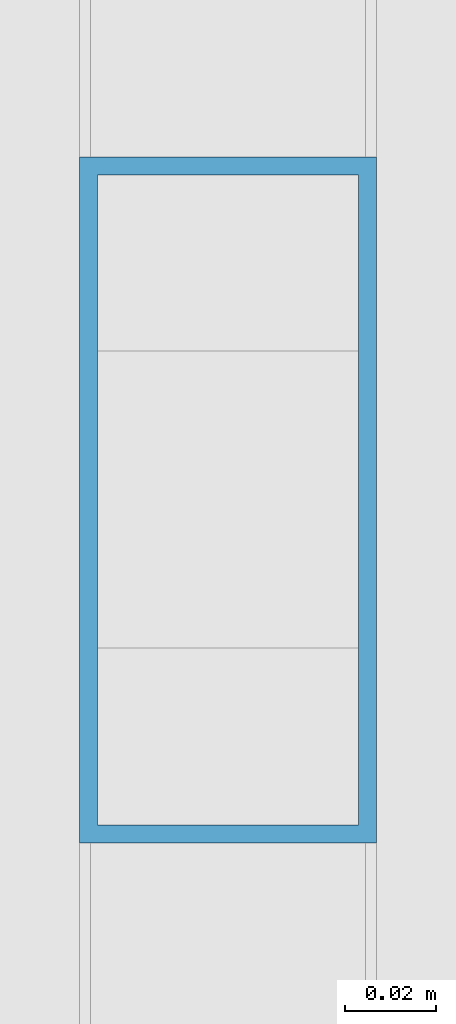
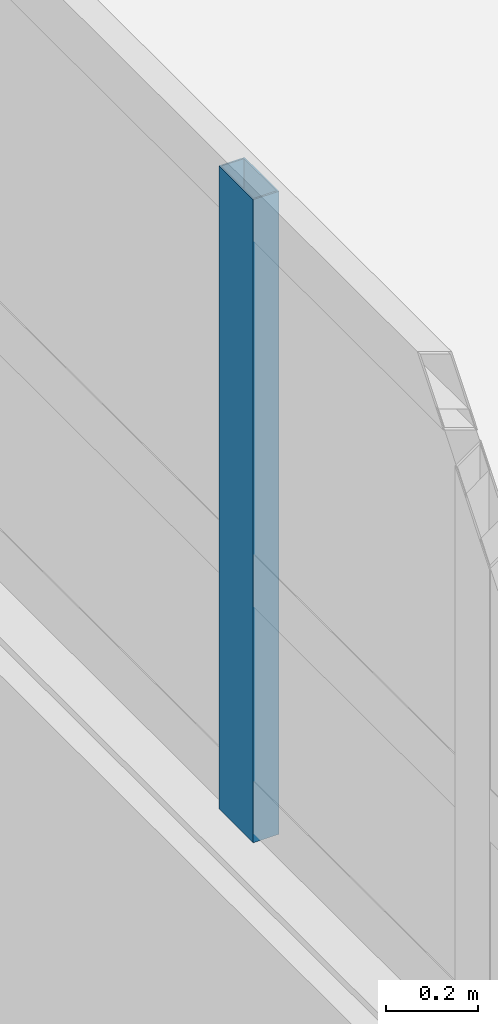
# One storey, part 29 of 101: 1 member, 1 element without a shape of its own.
"""IFC4 building model written with IfcOpenShell, lengths in metres."""

from ifc_helpers import new_model, si_unit, direction, frame, origin, origin_2d, place, context, subcontext, project, spatial, hollow_rectangle, extrude, material, layer, layer_set, material_profile, profile_set, type_object, element, aggregate, save


model = new_model("IFC4")

# Units and contexts
model_context = context("Model", 3, precision=1e-05, world=origin(), true_north=direction((0.0, 1.0)))
body_context = subcontext(model_context, "Body", "Model", "MODEL_VIEW")
ifc_project = project(units=[si_unit("LENGTHUNIT", "METRE"), si_unit("AREAUNIT", "SQUARE_METRE"), si_unit("VOLUMEUNIT", "CUBIC_METRE"), si_unit("PLANEANGLEUNIT", "RADIAN"), si_unit("MASSUNIT", "GRAM", prefix="KILO")], contexts=[model_context])

# Site, building, storey
site_placement = place(None, origin())
site = spatial("IfcSite", under=ifc_project, at=site_placement, CompositionType="ELEMENT")
building_placement = place(site_placement, origin())
building = spatial("IfcBuilding", under=site, at=building_placement, Name="Vireocrest Preparatory School", CompositionType="ELEMENT")
storey_placement = place(building_placement, frame((0.0, 0.0, 4.800048828125)))
storey = spatial("IfcBuildingStorey", under=building, at=storey_placement, Name="L01", CompositionType="ELEMENT", Elevation=4.800048828125)

# Curtain wall, member
ifc_material = material(Name="Thermally broken aluminium EN AW-6063-T6", Category="aluminium")
ifc_layer = layer(ifc_material, 0.179931640625)
ifc_layer_set = layer_set([ifc_layer], Name="Thermally broken aluminium EN AW-6063-T6")
curtain_wall_type = type_object("IfcCurtainWallType", Name="Court Banded Curtain Wall 8400x3000", PredefinedType="USERDEFINED", material=ifc_layer_set)
curtain_wall_placement = place(storey_placement, origin())
curtain_wall = element("IfcCurtainWall", 1, at=curtain_wall_placement, inside=storey, type_object=curtain_wall_type, Name="Curtain Wall CW02 CW_L01_CW02_0924_0441_060", ObjectType="CURTAIN WALL", PredefinedType="USERDEFINED")
ifc_material_profile = material_profile(ifc_material, hollow_rectangle(XDim=0.06494140625, YDim=0.14990234375, WallThickness=0.00390625, at=origin_2d()), Name="ALU 65x150x4")
ifc_profile_set = profile_set([ifc_material_profile], Name="Thermally broken aluminium EN AW-6063-T6")
member_type = type_object("IfcMemberType", Name="CW Mullion 65x150x4", PredefinedType="MULLION", material=ifc_profile_set)
member_placement = place(storey_placement, frame((92.39990234375, 47.23193359375, 1.14990234375), z_axis=(0.0, 0.0, 1.0), x_axis=(1.0, 0.0, 0.0)))
member = element("IfcMember", 2, at=member_placement, type_object=member_type, Name="CW Mullion ML1 CW_L01_CW02_0924_0441_060-3", PredefinedType="MULLION", context=body_context, shape_type="SweptSolid", body=[
    extrude(hollow_rectangle(XDim=0.06494140625, YDim=0.14990234375, WallThickness=0.00390625, at=origin_2d()), origin(), (0.0, 0.0, 1.0), 1.715087890625),
])
aggregate(curtain_wall, [member])

save(model, "model.ifc")
